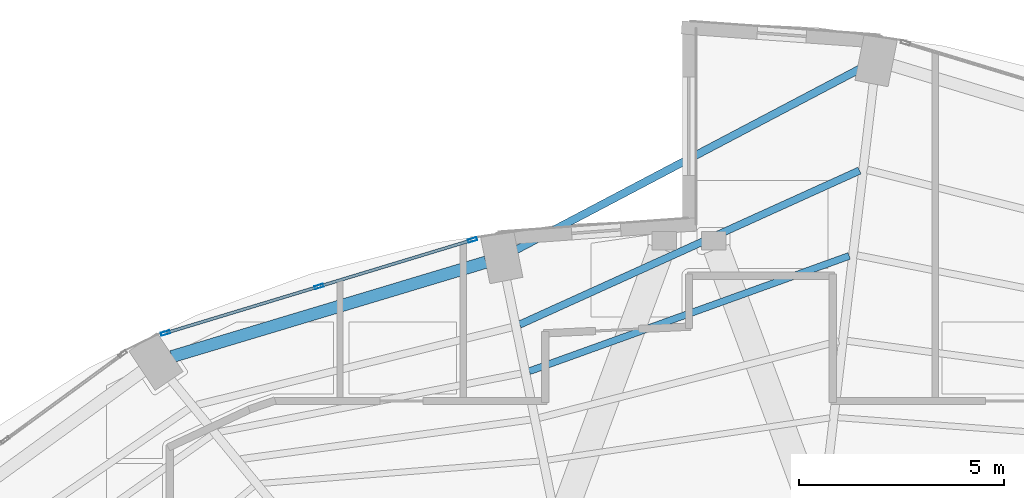
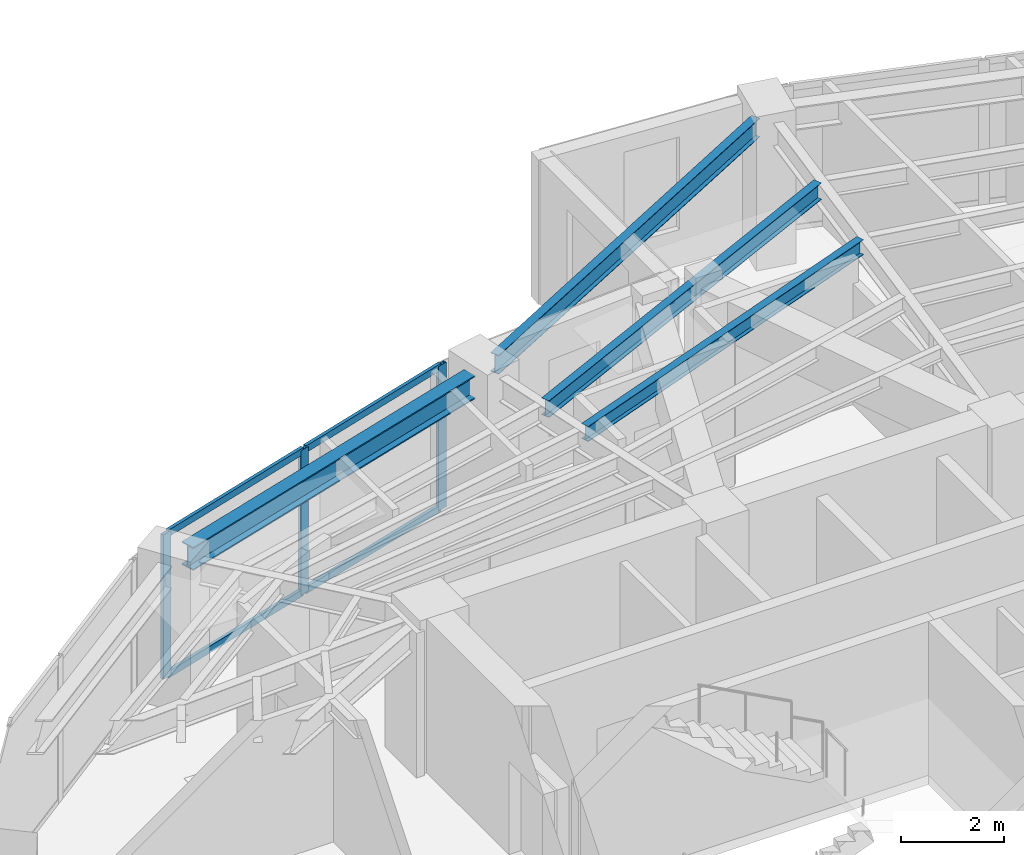
# One storey, part 12 of 20: 7 members, 4 beams, 1 element without a shape of its own.
"""IFC4 building model written with IfcOpenShell, lengths in metres."""

from ifc_helpers import new_model, si_unit, direction, frame, origin, origin_2d, place, context, subcontext, project, spatial, hollow_rectangle, i_section, extrude, material, layer, layer_set, material_profile, profile_set, type_object, element, aggregate, save


model = new_model("IFC4")

# Units and contexts
model_context = context("Model", 3, precision=1e-05, world=origin(), true_north=direction((0.0, 1.0)))
body_context = subcontext(model_context, "Body", "Model", "MODEL_VIEW")
ifc_project = project(units=[si_unit("LENGTHUNIT", "METRE"), si_unit("AREAUNIT", "SQUARE_METRE"), si_unit("VOLUMEUNIT", "CUBIC_METRE"), si_unit("PLANEANGLEUNIT", "RADIAN"), si_unit("MASSUNIT", "GRAM", prefix="KILO")], contexts=[model_context])

# Site, building, storey
site_placement = place(None, origin())
site = spatial("IfcSite", under=ifc_project, at=site_placement, CompositionType="ELEMENT")
building_placement = place(site_placement, origin())
building = spatial("IfcBuilding", under=site, at=building_placement, Name="Lazwardi Medical Tower", CompositionType="ELEMENT")
storey_placement = place(building_placement, frame((0.0, 0.0, 160.176025390625)))
storey = spatial("IfcBuildingStorey", under=building, at=storey_placement, Name="L41", CompositionType="ELEMENT", Elevation=160.176025390625)

# Beams
ifc_material_1 = material(Name="Steel S355", Category="steel")
ifc_material_profile_1 = material_profile(ifc_material_1, i_section(OverallWidth=0.300048828125, OverallDepth=0.550048828125, WebThickness=0.014892578125, FlangeThickness=0.029052734375, at=origin_2d()), Name="HEB 550")
ifc_profile_set_1 = profile_set([ifc_material_profile_1], Name="Steel S355")
beam_type_1 = type_object("IfcBeamType", Name="BM-RB-Z3", PredefinedType="BEAM", material=ifc_profile_set_1)
beam_1_placement = place(storey_placement, frame((31.056884765625, 42.133544921875, 3.153076171875), z_axis=(-0.957616873483, -0.288045002771, 0.0), x_axis=(0.288045002771, -0.957616873483, 0.0)))
element("IfcBeam", 1, at=beam_1_placement, inside=storey, type_object=beam_type_1, Name="Ring beam RB-04 B09 L41", PredefinedType="BEAM", context=body_context, shape_type="SweptSolid", body=[
    extrude(i_section(OverallWidth=0.300048828125, OverallDepth=0.550048828125, WebThickness=0.014892578125, FlangeThickness=0.029052734375, at=origin_2d()), origin(), (0.0, 0.0, 1.0), 7.99951171875),
])
ifc_material_profile_2 = material_profile(ifc_material_1, i_section(OverallWidth=0.179931640625, OverallDepth=0.39990234375, WebThickness=0.008544921875, FlangeThickness=0.013427734375, at=origin_2d()), Name="IPE 400")
ifc_profile_set_2 = profile_set([ifc_material_profile_2], Name="Steel S355")
beam_type_2 = type_object("IfcBeamType", Name="BM-SJ-01", PredefinedType="JOIST", material=ifc_profile_set_2)
beam_2_placement = place(storey_placement, frame((40.155029296875, 44.3642578125, 3.22802734375), z_axis=(-0.910834000674, -0.412772846995, 0.0), x_axis=(0.412772846995, -0.910834000674, 0.0)))
element("IfcBeam", 2, at=beam_2_placement, inside=storey, type_object=beam_type_2, Name="Secondary joist SJ-01 R1 B08 L41", PredefinedType="JOIST", context=body_context, shape_type="SweptSolid", body=[
    extrude(i_section(OverallWidth=0.179931640625, OverallDepth=0.39990234375, WebThickness=0.008544921875, FlangeThickness=0.013427734375, at=origin_2d()), origin(), (0.0, 0.0, 1.0), 9.09130859375),
])
ifc_material_profile_3 = material_profile(ifc_material_1, i_section(OverallWidth=0.169921875, OverallDepth=0.360107421875, WebThickness=0.008056640625, FlangeThickness=0.0126953125, at=origin_2d()), Name="IPE 360")
ifc_profile_set_3 = profile_set([ifc_material_profile_3], Name="Steel S355")
beam_type_3 = type_object("IfcBeamType", Name="BM-SJ-02", PredefinedType="JOIST", material=ifc_profile_set_3)
beam_3_placement = place(storey_placement, frame((39.904052734375, 42.284423828125, 3.248046875), z_axis=(-0.940747993319, -0.339106492221, 0.0), x_axis=(0.339106492221, -0.940747993319, 0.0)))
element("IfcBeam", 3, at=beam_3_placement, inside=storey, type_object=beam_type_3, Name="Secondary joist SJ-02 R2 B08 L41", PredefinedType="JOIST", context=body_context, shape_type="SweptSolid", body=[
    extrude(i_section(OverallWidth=0.169921875, OverallDepth=0.360107421875, WebThickness=0.008056640625, FlangeThickness=0.0126953125, at=origin_2d()), origin(), (0.0, 0.0, 1.0), 8.28662109375),
])
ifc_material_profile_4 = material_profile(ifc_material_1, i_section(OverallWidth=0.18994140625, OverallDepth=0.449951171875, WebThickness=0.009521484375, FlangeThickness=0.0146484375, at=origin_2d()), Name="IPE 450")
ifc_profile_set_4 = profile_set([ifc_material_profile_4], Name="Steel S355")
beam_type_4 = type_object("IfcBeamType", Name="BM-SP-01", PredefinedType="SPANDREL", material=ifc_profile_set_4)
beam_4_placement = place(storey_placement, frame((40.206298828125, 46.862548828125, 3.202880859375), z_axis=(-0.884926578414, -0.465730556026, 0.0), x_axis=(0.465730556026, -0.884926578414, 0.0)))
element("IfcBeam", 4, at=beam_4_placement, inside=storey, type_object=beam_type_4, Name="Spandrel beam SP-01 B08 L41", PredefinedType="SPANDREL", context=body_context, shape_type="SweptSolid", body=[
    extrude(i_section(OverallWidth=0.18994140625, OverallDepth=0.449951171875, WebThickness=0.009521484375, FlangeThickness=0.0146484375, at=origin_2d()), origin(), (0.0, 0.0, 1.0), 9.506591796875),
])

# Curtain wall, members
ifc_material_2 = material(Name="Anodised bronze aluminium and solar control glazing", Category="aluminium")
ifc_layer = layer(ifc_material_2, 0.195068359375)
ifc_layer_set = layer_set([ifc_layer], Name="Anodised bronze aluminium and solar control glazing")
curtain_wall_type = type_object("IfcCurtainWallType", Name="CW-SYS-03", PredefinedType="NOTDEFINED", material=ifc_layer_set)
curtain_wall_placement = place(storey_placement, origin())
curtain_wall = element("IfcCurtainWall", 5, at=curtain_wall_placement, inside=storey, type_object=curtain_wall_type, Name="L41 Unitised bronze curtain wall CW-03", PredefinedType="NOTDEFINED")
ifc_material_3 = material(Name="Anodised bronze aluminium", Category="aluminium")
ifc_material_profile_5 = material_profile(ifc_material_3, hollow_rectangle(XDim=0.074951171875, YDim=0.219970703125, WallThickness=0.00390625, at=origin_2d()), Name="ALU-MULLION 220x75x4")
ifc_profile_set_5 = profile_set([ifc_material_profile_5], Name="Anodised bronze aluminium")
member_type_1 = type_object("IfcMemberType", Name="CW-MUL-01", PredefinedType="MULLION", material=ifc_profile_set_5)
member_1_placement = place(storey_placement, frame((30.72802734375, 42.674072265625, 0.0), z_axis=(0.0, 0.0, 1.0), x_axis=(0.290280785441, -0.956941516292, 0.0)))
member_1 = element("IfcMember", 6, at=member_1_placement, type_object=member_type_1, Name="CW-03 mullion 1", PredefinedType="MULLION", context=body_context, shape_type="SweptSolid", body=[
    extrude(hollow_rectangle(XDim=0.074951171875, YDim=0.219970703125, WallThickness=0.00390625, at=origin_2d()), origin(), (0.0, 0.0, 1.0), 3.427978515625),
])
member_2_placement = place(storey_placement, frame((26.98486328125, 41.538818359375, 0.0), z_axis=(0.0, 0.0, 1.0), x_axis=(0.290280785441, -0.956941516292, 0.0)))
member_2 = element("IfcMember", 7, at=member_2_placement, type_object=member_type_1, Name="CW-03 mullion 2", PredefinedType="MULLION", context=body_context, shape_type="SweptSolid", body=[
    extrude(hollow_rectangle(XDim=0.074951171875, YDim=0.219970703125, WallThickness=0.00390625, at=origin_2d()), origin(), (0.0, 0.0, 1.0), 3.427978515625),
])
member_3_placement = place(storey_placement, frame((23.241943359375, 40.4033203125, 0.0), z_axis=(0.0, 0.0, 1.0), x_axis=(0.290280785441, -0.956941516292, 0.0)))
member_3 = element("IfcMember", 8, at=member_3_placement, type_object=member_type_1, Name="CW-03 mullion 3", PredefinedType="MULLION", context=body_context, shape_type="SweptSolid", body=[
    extrude(hollow_rectangle(XDim=0.074951171875, YDim=0.219970703125, WallThickness=0.00390625, at=origin_2d()), origin(), (0.0, 0.0, 1.0), 3.427978515625),
])
ifc_material_profile_6 = material_profile(ifc_material_3, hollow_rectangle(XDim=0.074951171875, YDim=0.159912109375, WallThickness=0.00390625, at=origin_2d()), Name="ALU-TRANSOM 160x75x4")
ifc_profile_set_6 = profile_set([ifc_material_profile_6], Name="Anodised bronze aluminium")
member_type_2 = type_object("IfcMemberType", Name="CW-TRN-01", PredefinedType="USERDEFINED", material=ifc_profile_set_6)
member_4_placement = place(storey_placement, frame((30.692138671875, 42.663330078125, 0.037353515625), z_axis=(-0.956935517424, -0.290300560612, 0.0), x_axis=(0.290300560612, -0.956935517424, 0.0)))
member_4 = element("IfcMember", 9, at=member_4_placement, type_object=member_type_2, Name="CW-03 transom 1.1", ObjectType="TRANSOM", PredefinedType="USERDEFINED", context=body_context, shape_type="SweptSolid", body=[
    extrude(hollow_rectangle(XDim=0.074951171875, YDim=0.159912109375, WallThickness=0.00390625, at=origin_2d()), origin(), (0.0, 0.0, 1.0), 3.836669921875),
])
member_5_placement = place(storey_placement, frame((30.692138671875, 42.663330078125, 3.390380859375), z_axis=(-0.956935517424, -0.290300560612, 0.0), x_axis=(0.290300560612, -0.956935517424, 0.0)))
member_5 = element("IfcMember", 10, at=member_5_placement, type_object=member_type_2, Name="CW-03 transom 1.2", ObjectType="TRANSOM", PredefinedType="USERDEFINED", context=body_context, shape_type="SweptSolid", body=[
    extrude(hollow_rectangle(XDim=0.074951171875, YDim=0.159912109375, WallThickness=0.00390625, at=origin_2d()), origin(), (0.0, 0.0, 1.0), 3.836669921875),
])
member_6_placement = place(storey_placement, frame((26.948974609375, 41.52783203125, 0.037353515625), z_axis=(-0.956930154175, -0.290318239233, 0.0), x_axis=(0.290318239233, -0.956930154175, 0.0)))
member_6 = element("IfcMember", 11, at=member_6_placement, type_object=member_type_2, Name="CW-03 transom 2.1", ObjectType="TRANSOM", PredefinedType="USERDEFINED", context=body_context, shape_type="SweptSolid", body=[
    extrude(hollow_rectangle(XDim=0.074951171875, YDim=0.159912109375, WallThickness=0.00390625, at=origin_2d()), origin(), (0.0, 0.0, 1.0), 3.83642578125),
])
member_7_placement = place(storey_placement, frame((26.948974609375, 41.52783203125, 3.390380859375), z_axis=(-0.956930154175, -0.290318239233, 0.0), x_axis=(0.290318239233, -0.956930154175, 0.0)))
member_7 = element("IfcMember", 12, at=member_7_placement, type_object=member_type_2, Name="CW-03 transom 2.2", ObjectType="TRANSOM", PredefinedType="USERDEFINED", context=body_context, shape_type="SweptSolid", body=[
    extrude(hollow_rectangle(XDim=0.074951171875, YDim=0.159912109375, WallThickness=0.00390625, at=origin_2d()), origin(), (0.0, 0.0, 1.0), 3.83642578125),
])
aggregate(curtain_wall, [member_1, member_2, member_3, member_4, member_5, member_6, member_7])

save(model, "model.ifc")
